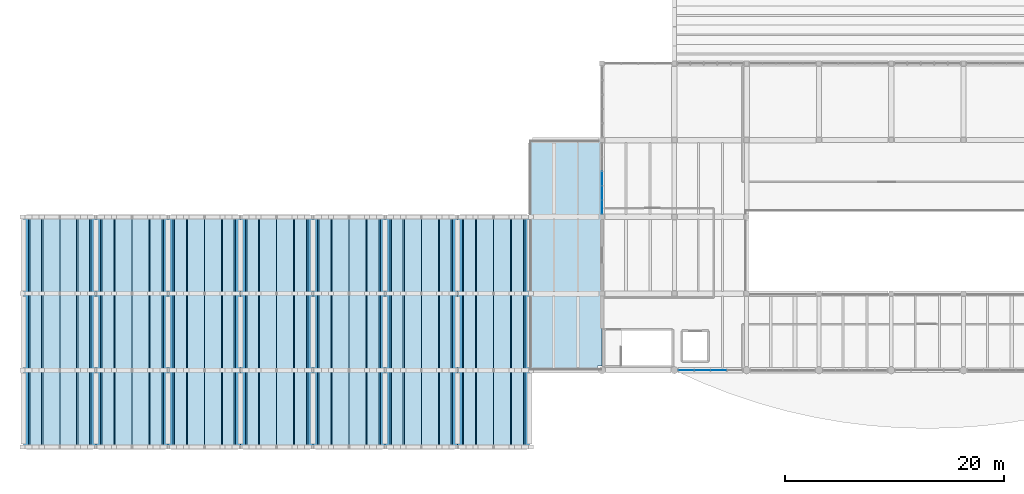
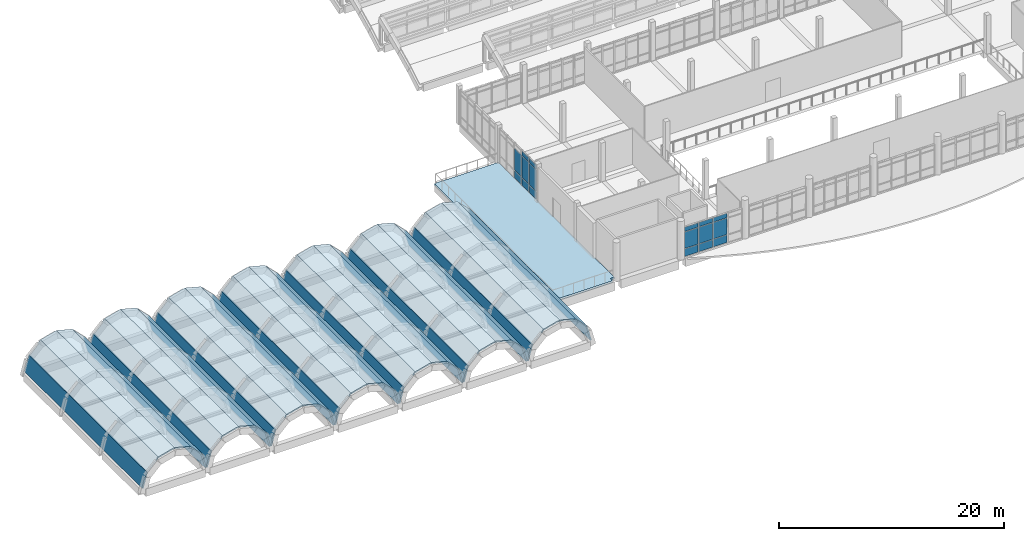
# One storey, part 64 of 92: 43 slabs, 17 plates, 3 elements without a shape of their own.
"""IFC4 building model written with IfcOpenShell, lengths in metres."""

from ifc_helpers import new_model, si_unit, direction, frame, origin, origin_2d, place, context, subcontext, project, spatial, polyline, rectangle, outline, extrude, material, layer, layer_set, type_object, element, aggregate, save


model = new_model("IFC4")

# Units and contexts
model_context = context("Model", 3, precision=1e-05, world=origin(), true_north=direction((0.0, 1.0)))
body_context = subcontext(model_context, "Body", "Model", "MODEL_VIEW")
ifc_project = project(units=[si_unit("LENGTHUNIT", "METRE"), si_unit("AREAUNIT", "SQUARE_METRE"), si_unit("VOLUMEUNIT", "CUBIC_METRE"), si_unit("PLANEANGLEUNIT", "RADIAN"), si_unit("MASSUNIT", "GRAM", prefix="KILO")], contexts=[model_context])

# Site, building, storey
site_placement = place(None, origin())
site = spatial("IfcSite", under=ifc_project, at=site_placement, CompositionType="ELEMENT")
building_placement = place(site_placement, origin())
building = spatial("IfcBuilding", under=site, at=building_placement, Name="Ciguamira Faculty of Natural Sciences", CompositionType="ELEMENT")
storey_placement = place(building_placement, frame((0.0, 0.0, 16.800048828125)))
storey = spatial("IfcBuildingStorey", under=building, at=storey_placement, Name="L04", CompositionType="ELEMENT", Elevation=16.800048828125)

# Curtain wall, plates
ifc_material_1 = material(Name="Anodized aluminium curtain wall", Category="aluminium")
curtain_wall_type = type_object("IfcCurtainWallType", Name="CurtainWall_CW-10", PredefinedType="USERDEFINED", material=ifc_material_1)
curtain_wall_1_placement = place(storey_placement, origin())
curtain_wall_1 = element("IfcCurtainWall", 1, at=curtain_wall_1_placement, inside=storey, type_object=curtain_wall_type, Name="L04 unitised curtain wall 0106", ObjectType="UNITISED CURTAIN WALL", PredefinedType="USERDEFINED")
ifc_material_2 = material(Name="Low-E laminated solar glass", Category="glass")
ifc_layer_1 = layer(ifc_material_2, 0.035888671875, Name="Low-E laminated solar glass")
ifc_layer_set_1 = layer_set([ifc_layer_1], Name="Low-E laminated solar glass")
plate_type = type_object("IfcPlateType", Name="CWPanel_CWP-02", PredefinedType="CURTAIN_PANEL", material=ifc_layer_set_1)
plate_1_placement = place(storey_placement, frame((64.983642578125, 10.0, 0.059814453125), z_axis=(0.0, 0.0, 1.0), x_axis=(1.0, 0.0, 0.0)))
plate_1 = element("IfcPlate", 2, at=plate_1_placement, type_object=plate_type, Name="CW-10 panel 1.1", PredefinedType="CURTAIN_PANEL", context=body_context, shape_type="SweptSolid", body=[
    extrude(rectangle(XDim=1.3974609375, YDim=0.035888671875, at=origin_2d()), origin(), (0.0, 0.0, 1.0), 0.81005859375),
])
plate_2_placement = place(storey_placement, frame((64.983642578125, 10.0, 0.929931640625), z_axis=(0.0, 0.0, 1.0), x_axis=(1.0, 0.0, 0.0)))
plate_2 = element("IfcPlate", 3, at=plate_2_placement, type_object=plate_type, Name="CW-10 panel 1.2", PredefinedType="CURTAIN_PANEL", context=body_context, shape_type="SweptSolid", body=[
    extrude(rectangle(XDim=1.3974609375, YDim=0.035888671875, at=origin_2d()), origin(), (0.0, 0.0, 1.0), 1.77490234375),
])
plate_3_placement = place(storey_placement, frame((64.983642578125, 10.0, 2.764892578125), z_axis=(0.0, 0.0, 1.0), x_axis=(1.0, 0.0, 0.0)))
plate_3 = element("IfcPlate", 4, at=plate_3_placement, type_object=plate_type, Name="CW-10 panel 1.3", PredefinedType="CURTAIN_PANEL", context=body_context, shape_type="SweptSolid", body=[
    extrude(rectangle(XDim=1.3974609375, YDim=0.035888671875, at=origin_2d()), origin(), (0.0, 0.0, 1.0), 0.4599609375),
])
plate_4_placement = place(storey_placement, frame((66.456298828125, 10.0, 0.059814453125), z_axis=(0.0, 0.0, 1.0), x_axis=(1.0, 0.0, 0.0)))
plate_4 = element("IfcPlate", 5, at=plate_4_placement, type_object=plate_type, Name="CW-10 panel 2.1", PredefinedType="CURTAIN_PANEL", context=body_context, shape_type="SweptSolid", body=[
    extrude(rectangle(XDim=1.427490234375, YDim=0.035888671875, at=origin_2d()), origin(), (0.0, 0.0, 1.0), 0.81005859375),
])
plate_5_placement = place(storey_placement, frame((66.456298828125, 10.0, 0.929931640625), z_axis=(0.0, 0.0, 1.0), x_axis=(1.0, 0.0, 0.0)))
plate_5 = element("IfcPlate", 6, at=plate_5_placement, type_object=plate_type, Name="CW-10 panel 2.2", PredefinedType="CURTAIN_PANEL", context=body_context, shape_type="SweptSolid", body=[
    extrude(rectangle(XDim=1.427490234375, YDim=0.035888671875, at=origin_2d()), origin(), (0.0, 0.0, 1.0), 1.77490234375),
])
plate_6_placement = place(storey_placement, frame((66.456298828125, 10.0, 2.764892578125), z_axis=(0.0, 0.0, 1.0), x_axis=(1.0, 0.0, 0.0)))
plate_6 = element("IfcPlate", 7, at=plate_6_placement, type_object=plate_type, Name="CW-10 panel 2.3", PredefinedType="CURTAIN_PANEL", context=body_context, shape_type="SweptSolid", body=[
    extrude(rectangle(XDim=1.427490234375, YDim=0.035888671875, at=origin_2d()), origin(), (0.0, 0.0, 1.0), 0.4599609375),
])
plate_7_placement = place(storey_placement, frame((67.94384765625, 10.0, 0.059814453125), z_axis=(0.0, 0.0, 1.0), x_axis=(1.0, 0.0, 0.0)))
plate_7 = element("IfcPlate", 8, at=plate_7_placement, type_object=plate_type, Name="CW-10 panel 3.1", PredefinedType="CURTAIN_PANEL", context=body_context, shape_type="SweptSolid", body=[
    extrude(rectangle(XDim=1.427490234375, YDim=0.035888671875, at=origin_2d()), origin(), (0.0, 0.0, 1.0), 0.81005859375),
])
plate_8_placement = place(storey_placement, frame((67.94384765625, 10.0, 0.929931640625), z_axis=(0.0, 0.0, 1.0), x_axis=(1.0, 0.0, 0.0)))
plate_8 = element("IfcPlate", 9, at=plate_8_placement, type_object=plate_type, Name="CW-10 panel 3.2", PredefinedType="CURTAIN_PANEL", context=body_context, shape_type="SweptSolid", body=[
    extrude(rectangle(XDim=1.427490234375, YDim=0.035888671875, at=origin_2d()), origin(), (0.0, 0.0, 1.0), 1.77490234375),
])
plate_9_placement = place(storey_placement, frame((67.94384765625, 10.0, 2.764892578125), z_axis=(0.0, 0.0, 1.0), x_axis=(1.0, 0.0, 0.0)))
plate_9 = element("IfcPlate", 10, at=plate_9_placement, type_object=plate_type, Name="CW-10 panel 3.3", PredefinedType="CURTAIN_PANEL", context=body_context, shape_type="SweptSolid", body=[
    extrude(rectangle(XDim=1.427490234375, YDim=0.035888671875, at=origin_2d()), origin(), (0.0, 0.0, 1.0), 0.4599609375),
])
aggregate(curtain_wall_1, [plate_1, plate_2, plate_3, plate_4, plate_5, plate_6, plate_7, plate_8, plate_9])

curtain_wall_2_placement = place(storey_placement, origin())
curtain_wall_2 = element("IfcCurtainWall", 11, at=curtain_wall_2_placement, inside=storey, type_object=curtain_wall_type, Name="L04 unitised curtain wall 0130", ObjectType="UNITISED CURTAIN WALL", PredefinedType="USERDEFINED")
plate_10_placement = place(storey_placement, frame((57.300048828125, 24.89501953125, 0.059814453125), z_axis=(0.0, 0.0, 1.0), x_axis=(0.0, 1.0, 0.0)))
plate_10 = element("IfcPlate", 12, at=plate_10_placement, type_object=plate_type, Name="CW-10 panel 1.1", PredefinedType="CURTAIN_PANEL", context=body_context, shape_type="SweptSolid", body=[
    extrude(rectangle(XDim=1.219970703125, YDim=0.035888671875, at=origin_2d()), origin(), (0.0, 0.0, 1.0), 0.81005859375),
])
plate_11_placement = place(storey_placement, frame((57.300048828125, 24.89501953125, 0.9296875), z_axis=(0.0, 0.0, 1.0), x_axis=(0.0, 1.0, 0.0)))
plate_11 = element("IfcPlate", 13, at=plate_11_placement, type_object=plate_type, Name="CW-10 panel 1.2", PredefinedType="CURTAIN_PANEL", context=body_context, shape_type="SweptSolid", body=[
    extrude(rectangle(XDim=1.219970703125, YDim=0.035888671875, at=origin_2d()), origin(), (0.0, 0.0, 1.0), 2.340087890625),
])
plate_12_placement = place(storey_placement, frame((57.300048828125, 24.89501953125, 3.330078125), z_axis=(0.0, 0.0, 1.0), x_axis=(0.0, 1.0, 0.0)))
plate_12 = element("IfcPlate", 14, at=plate_12_placement, type_object=plate_type, Name="CW-10 panel 1.3", PredefinedType="CURTAIN_PANEL", context=body_context, shape_type="SweptSolid", body=[
    extrude(rectangle(XDim=1.219970703125, YDim=0.035888671875, at=origin_2d()), origin(), (0.0, 0.0, 1.0), 0.4599609375),
])
plate_13_placement = place(storey_placement, frame((57.300048828125, 26.18994140625, 0.059814453125), z_axis=(0.0, 0.0, 1.0), x_axis=(0.0, 1.0, 0.0)))
plate_13 = element("IfcPlate", 15, at=plate_13_placement, type_object=plate_type, Name="CW-10 panel 2.1", PredefinedType="CURTAIN_PANEL", context=body_context, shape_type="SweptSolid", body=[
    extrude(rectangle(XDim=1.25, YDim=0.035888671875, at=origin_2d()), origin(), (0.0, 0.0, 1.0), 0.81005859375),
])
plate_14_placement = place(storey_placement, frame((57.300048828125, 26.18994140625, 0.9296875), z_axis=(0.0, 0.0, 1.0), x_axis=(0.0, 1.0, 0.0)))
plate_14 = element("IfcPlate", 16, at=plate_14_placement, type_object=plate_type, Name="CW-10 panel 2.2", PredefinedType="CURTAIN_PANEL", context=body_context, shape_type="SweptSolid", body=[
    extrude(rectangle(XDim=1.25, YDim=0.035888671875, at=origin_2d()), origin(), (0.0, 0.0, 1.0), 2.340087890625),
])
plate_15_placement = place(storey_placement, frame((57.300048828125, 26.18994140625, 3.330078125), z_axis=(0.0, 0.0, 1.0), x_axis=(0.0, 1.0, 0.0)))
plate_15 = element("IfcPlate", 17, at=plate_15_placement, type_object=plate_type, Name="CW-10 panel 2.3", PredefinedType="CURTAIN_PANEL", context=body_context, shape_type="SweptSolid", body=[
    extrude(rectangle(XDim=1.25, YDim=0.035888671875, at=origin_2d()), origin(), (0.0, 0.0, 1.0), 0.4599609375),
])
plate_16_placement = place(storey_placement, frame((57.300048828125, 27.5, 0.059814453125), z_axis=(0.0, 0.0, 1.0), x_axis=(0.0, 1.0, 0.0)))
plate_16 = element("IfcPlate", 18, at=plate_16_placement, type_object=plate_type, Name="CW-10 panel 3.1", PredefinedType="CURTAIN_PANEL", context=body_context, shape_type="SweptSolid", body=[
    extrude(rectangle(XDim=1.25, YDim=0.035888671875, at=origin_2d()), origin(), (0.0, 0.0, 1.0), 0.81005859375),
])
plate_17_placement = place(storey_placement, frame((57.300048828125, 27.5, 0.9296875), z_axis=(0.0, 0.0, 1.0), x_axis=(0.0, 1.0, 0.0)))
plate_17 = element("IfcPlate", 19, at=plate_17_placement, type_object=plate_type, Name="CW-10 panel 3.2", PredefinedType="CURTAIN_PANEL", context=body_context, shape_type="SweptSolid", body=[
    extrude(rectangle(XDim=1.25, YDim=0.035888671875, at=origin_2d()), origin(), (0.0, 0.0, 1.0), 2.340087890625),
])
aggregate(curtain_wall_2, [plate_10, plate_11, plate_12, plate_13, plate_14, plate_15, plate_16, plate_17])

# Roof, slabs
ifc_material_3 = material(Name="Concrete C40/50", Category="concrete")
roof_type = type_object("IfcRoofType", Name="RoofSys_RF-VLT", PredefinedType="BARREL_ROOF", material=ifc_material_3)
roof_placement = place(storey_placement, origin())
roof = element("IfcRoof", 20, at=roof_placement, inside=storey, type_object=roof_type, Name="Learning Commons Seven Semicircular Concrete Barrel Vaults", PredefinedType="BARREL_ROOF")
ifc_layer_2 = layer(ifc_material_3, 0.139892578125, Name="Concrete C40/50")
ifc_layer_set_2 = layer_set([ifc_layer_2], Name="Concrete C40/50")
slab_type_1 = type_object("IfcSlabType", Name="Slab_SR-03_140", PredefinedType="ROOF", material=ifc_layer_set_2)
slab_1_placement = place(storey_placement, frame((4.5, 3.0, 0.0), z_axis=(-0.965918702396, 0.0, 0.25884563037), x_axis=(0.25884563037, 0.0, 0.965918702396)))
slab_1 = element("IfcSlab", 21, at=slab_1_placement, type_object=slab_type_1, Name="V2 semicircular barrel vault 1 chord strip 1", PredefinedType="ROOF", context=body_context, shape_type="SweptSolid", body=[
    extrude(outline(polyline([(0.0, 0.0), (1.7081171941875453, 0.0), (1.7081171941875453, 21.0), (0.0, 21.0), (0.0, 0.0)])), origin(), (0.0, 0.0, -1.0), 0.139892578125),
])
slab_2_placement = place(storey_placement, frame((4.942138671875, 3.0, 1.64990234375), z_axis=(-0.707178238594, 0.0, 0.707035316557), x_axis=(0.707035316557, 0.0, 0.707178238594)))
slab_2 = element("IfcSlab", 22, at=slab_2_placement, type_object=slab_type_1, Name="V2 semicircular barrel vault 1 chord strip 2", PredefinedType="ROOF", context=body_context, shape_type="SweptSolid", body=[
    extrude(outline(polyline([(0.0, 0.0), (1.7082084071219232, 0.0), (1.7082084071219232, 21.0), (0.0, 21.0), (0.0, 0.0)])), origin(), (0.0, 0.0, -1.0), 0.139892578125),
])
slab_3_placement = place(storey_placement, frame((6.14990234375, 3.0, 2.85791015625), z_axis=(-0.258809899302, 0.0, 0.965928276853), x_axis=(0.965928276853, 0.0, 0.258809899302)))
slab_3 = element("IfcSlab", 23, at=slab_3_placement, type_object=slab_type_1, Name="V2 semicircular barrel vault 1 chord strip 3", PredefinedType="ROOF", context=body_context, shape_type="SweptSolid", body=[
    extrude(outline(polyline([(0.0, 0.0), (1.708353015352085, 0.0), (1.708353015352085, 21.0), (0.0, 21.0), (0.0, 0.0)])), origin(), (0.0, 0.0, -1.0), 0.139892578125),
])
slab_4_placement = place(storey_placement, frame((7.800048828125, 3.0, 3.300048828125), z_axis=(0.25884563037, 0.0, 0.965918702396), x_axis=(0.965918702396, 0.0, -0.25884563037)))
slab_4 = element("IfcSlab", 24, at=slab_4_placement, type_object=slab_type_1, Name="V2 semicircular barrel vault 1 chord strip 4", PredefinedType="ROOF", context=body_context, shape_type="SweptSolid", body=[
    extrude(outline(polyline([(0.0, 0.0), (1.7081171941875453, 0.0), (1.7081171941875453, 21.0), (0.0, 21.0), (0.0, 0.0)])), origin(), (0.0, 0.0, -1.0), 0.139892578125),
])
slab_5_placement = place(storey_placement, frame((9.449951171875, 3.0, 2.85791015625), z_axis=(0.707106781187, 0.0, 0.707106781187), x_axis=(0.707106781187, 0.0, -0.707106781187)))
slab_5 = element("IfcSlab", 25, at=slab_5_placement, type_object=slab_type_1, Name="V2 semicircular barrel vault 1 chord strip 5", PredefinedType="ROOF", context=body_context, shape_type="SweptSolid", body=[
    extrude(outline(polyline([(0.0, 0.0), (1.7083810318901549, 0.0), (1.7083810318901549, 21.0), (0.0, 21.0), (0.0, 0.0)])), origin(), (0.0, 0.0, -1.0), 0.139892578125),
])
slab_6_placement = place(storey_placement, frame((10.657958984375, 3.0, 1.64990234375), z_axis=(0.965918702396, 0.0, 0.25884563037), x_axis=(0.25884563037, 0.0, -0.965918702396)))
slab_6 = element("IfcSlab", 26, at=slab_6_placement, type_object=slab_type_1, Name="V2 semicircular barrel vault 1 chord strip 6", PredefinedType="ROOF", context=body_context, shape_type="SweptSolid", body=[
    extrude(outline(polyline([(0.0, 0.0), (1.7081171941875453, 0.0), (1.7081171941875453, 21.0), (0.0, 21.0), (0.0, 0.0)])), origin(), (0.0, 0.0, -1.0), 0.139892578125),
])
slab_7_placement = place(storey_placement, frame((11.10009765625, 3.0, 0.0), z_axis=(-0.965954430336, 0.0, 0.258712269741), x_axis=(0.258712269741, 0.0, 0.965954430336)))
slab_7 = element("IfcSlab", 27, at=slab_7_placement, type_object=slab_type_1, Name="V2 semicircular barrel vault 2 chord strip 1", PredefinedType="ROOF", context=body_context, shape_type="SweptSolid", body=[
    extrude(outline(polyline([(0.0, 0.0), (1.7080540157326412, 0.0), (1.7080540157326412, 21.0), (0.0, 21.0), (0.0, 0.0)])), origin(), (0.0, 0.0, -1.0), 0.139892578125),
])
slab_8_placement = place(storey_placement, frame((11.5419921875, 3.0, 1.64990234375), z_axis=(-0.707106781187, 0.0, 0.707106781187), x_axis=(0.707106781187, 0.0, 0.707106781187)))
slab_8 = element("IfcSlab", 28, at=slab_8_placement, type_object=slab_type_1, Name="V2 semicircular barrel vault 2 chord strip 2", PredefinedType="ROOF", context=body_context, shape_type="SweptSolid", body=[
    extrude(outline(polyline([(0.0, 0.0), (1.7083810318901549, 0.0), (1.7083810318901549, 21.0), (0.0, 21.0), (0.0, 0.0)])), origin(), (0.0, 0.0, -1.0), 0.139892578125),
])
slab_9_placement = place(storey_placement, frame((12.75, 3.0, 2.85791015625), z_axis=(-0.25884563037, 0.0, 0.965918702396), x_axis=(0.965918702396, 0.0, 0.25884563037)))
slab_9 = element("IfcSlab", 29, at=slab_9_placement, type_object=slab_type_1, Name="V2 semicircular barrel vault 2 chord strip 3", PredefinedType="ROOF", context=body_context, shape_type="SweptSolid", body=[
    extrude(outline(polyline([(0.0, 0.0), (1.7081171941875453, 0.0), (1.7081171941875453, 21.0), (0.0, 21.0), (0.0, 0.0)])), origin(), (0.0, 0.0, -1.0), 0.139892578125),
])
slab_10_placement = place(storey_placement, frame((14.39990234375, 3.0, 3.300048828125), z_axis=(0.258809899302, 0.0, 0.965928276853), x_axis=(0.965928276853, 0.0, -0.258809899302)))
slab_10 = element("IfcSlab", 30, at=slab_10_placement, type_object=slab_type_1, Name="V2 semicircular barrel vault 2 chord strip 4", PredefinedType="ROOF", context=body_context, shape_type="SweptSolid", body=[
    extrude(outline(polyline([(0.0, 0.0), (1.708353015352085, 0.0), (1.708353015352085, 21.0), (0.0, 21.0), (0.0, 0.0)])), origin(), (0.0, 0.0, -1.0), 0.139892578125),
])
slab_11_placement = place(storey_placement, frame((16.050048828125, 3.0, 2.85791015625), z_axis=(0.707178238594, 0.0, 0.707035316557), x_axis=(0.707035316557, 0.0, -0.707178238594)))
slab_11 = element("IfcSlab", 31, at=slab_11_placement, type_object=slab_type_1, Name="V2 semicircular barrel vault 2 chord strip 5", PredefinedType="ROOF", context=body_context, shape_type="SweptSolid", body=[
    extrude(outline(polyline([(0.0, 0.0), (1.7082084071219232, 0.0), (1.7082084071219232, 21.0), (0.0, 21.0), (0.0, 0.0)])), origin(), (0.0, 0.0, -1.0), 0.139892578125),
])
slab_12_placement = place(storey_placement, frame((17.2578125, 3.0, 1.64990234375), z_axis=(0.965918702396, 0.0, 0.25884563037), x_axis=(0.25884563037, 0.0, -0.965918702396)))
slab_12 = element("IfcSlab", 32, at=slab_12_placement, type_object=slab_type_1, Name="V2 semicircular barrel vault 2 chord strip 6", PredefinedType="ROOF", context=body_context, shape_type="SweptSolid", body=[
    extrude(outline(polyline([(0.0, 0.0), (1.7081171941875453, 0.0), (1.7081171941875453, 21.0), (0.0, 21.0), (0.0, 0.0)])), origin(), (0.0, 0.0, -1.0), 0.139892578125),
])
slab_13_placement = place(storey_placement, frame((17.699951171875, 3.0, 0.0), z_axis=(-0.965918702396, 0.0, 0.25884563037), x_axis=(0.25884563037, 0.0, 0.965918702396)))
slab_13 = element("IfcSlab", 33, at=slab_13_placement, type_object=slab_type_1, Name="V2 semicircular barrel vault 3 chord strip 1", PredefinedType="ROOF", context=body_context, shape_type="SweptSolid", body=[
    extrude(outline(polyline([(0.0, 0.0), (1.7081171941875453, 0.0), (1.7081171941875453, 21.0), (0.0, 21.0), (0.0, 0.0)])), origin(), (0.0, 0.0, -1.0), 0.139892578125),
])
slab_14_placement = place(storey_placement, frame((18.14208984375, 3.0, 1.64990234375), z_axis=(-0.707106781187, 0.0, 0.707106781187), x_axis=(0.707106781187, 0.0, 0.707106781187)))
slab_14 = element("IfcSlab", 34, at=slab_14_placement, type_object=slab_type_1, Name="V2 semicircular barrel vault 3 chord strip 2", PredefinedType="ROOF", context=body_context, shape_type="SweptSolid", body=[
    extrude(outline(polyline([(0.0, 0.0), (1.7083810318901549, 0.0), (1.7083810318901549, 21.0), (0.0, 21.0), (0.0, 0.0)])), origin(), (0.0, 0.0, -1.0), 0.139892578125),
])
slab_15_placement = place(storey_placement, frame((19.35009765625, 3.0, 2.85791015625), z_axis=(-0.25884563037, 0.0, 0.965918702396), x_axis=(0.965918702396, 0.0, 0.25884563037)))
slab_15 = element("IfcSlab", 35, at=slab_15_placement, type_object=slab_type_1, Name="V2 semicircular barrel vault 3 chord strip 3", PredefinedType="ROOF", context=body_context, shape_type="SweptSolid", body=[
    extrude(outline(polyline([(0.0, 0.0), (1.7081171941875453, 0.0), (1.7081171941875453, 21.0), (0.0, 21.0), (0.0, 0.0)])), origin(), (0.0, 0.0, -1.0), 0.139892578125),
])
slab_16_placement = place(storey_placement, frame((21.0, 3.0, 3.300048828125), z_axis=(0.25884563037, 0.0, 0.965918702396), x_axis=(0.965918702396, 0.0, -0.25884563037)))
slab_16 = element("IfcSlab", 36, at=slab_16_placement, type_object=slab_type_1, Name="V2 semicircular barrel vault 3 chord strip 4", PredefinedType="ROOF", context=body_context, shape_type="SweptSolid", body=[
    extrude(outline(polyline([(0.0, 0.0), (1.7081171941875453, 0.0), (1.7081171941875453, 21.0), (0.0, 21.0), (0.0, 0.0)])), origin(), (0.0, 0.0, -1.0), 0.139892578125),
])
slab_17_placement = place(storey_placement, frame((22.64990234375, 3.0, 2.85791015625), z_axis=(0.707106781187, 0.0, 0.707106781187), x_axis=(0.707106781187, 0.0, -0.707106781187)))
slab_17 = element("IfcSlab", 37, at=slab_17_placement, type_object=slab_type_1, Name="V2 semicircular barrel vault 3 chord strip 5", PredefinedType="ROOF", context=body_context, shape_type="SweptSolid", body=[
    extrude(outline(polyline([(0.0, 0.0), (1.7083810318901549, 0.0), (1.7083810318901549, 21.0), (0.0, 21.0), (0.0, 0.0)])), origin(), (0.0, 0.0, -1.0), 0.139892578125),
])
slab_18_placement = place(storey_placement, frame((23.85791015625, 3.0, 1.64990234375), z_axis=(0.965918702396, 0.0, 0.25884563037), x_axis=(0.25884563037, 0.0, -0.965918702396)))
slab_18 = element("IfcSlab", 38, at=slab_18_placement, type_object=slab_type_1, Name="V2 semicircular barrel vault 3 chord strip 6", PredefinedType="ROOF", context=body_context, shape_type="SweptSolid", body=[
    extrude(outline(polyline([(0.0, 0.0), (1.7081171941875453, 0.0), (1.7081171941875453, 21.0), (0.0, 21.0), (0.0, 0.0)])), origin(), (0.0, 0.0, -1.0), 0.139892578125),
])
slab_19_placement = place(storey_placement, frame((24.300048828125, 3.0, 0.0), z_axis=(-0.965918702396, 0.0, 0.25884563037), x_axis=(0.25884563037, 0.0, 0.965918702396)))
slab_19 = element("IfcSlab", 39, at=slab_19_placement, type_object=slab_type_1, Name="V2 semicircular barrel vault 4 chord strip 1", PredefinedType="ROOF", context=body_context, shape_type="SweptSolid", body=[
    extrude(outline(polyline([(0.0, 0.0), (1.7081171941875453, 0.0), (1.7081171941875453, 21.0), (0.0, 21.0), (0.0, 0.0)])), origin(), (0.0, 0.0, -1.0), 0.139892578125),
])
slab_20_placement = place(storey_placement, frame((24.7421875, 3.0, 1.64990234375), z_axis=(-0.707178238594, 0.0, 0.707035316557), x_axis=(0.707035316557, 0.0, 0.707178238594)))
slab_20 = element("IfcSlab", 40, at=slab_20_placement, type_object=slab_type_1, Name="V2 semicircular barrel vault 4 chord strip 2", PredefinedType="ROOF", context=body_context, shape_type="SweptSolid", body=[
    extrude(outline(polyline([(0.0, 0.0), (1.7082084071219232, 0.0), (1.7082084071219232, 21.0), (0.0, 21.0), (0.0, 0.0)])), origin(), (0.0, 0.0, -1.0), 0.139892578125),
])
slab_21_placement = place(storey_placement, frame((25.949951171875, 3.0, 2.85791015625), z_axis=(-0.258809899302, 0.0, 0.965928276853), x_axis=(0.965928276853, 0.0, 0.258809899302)))
slab_21 = element("IfcSlab", 41, at=slab_21_placement, type_object=slab_type_1, Name="V2 semicircular barrel vault 4 chord strip 3", PredefinedType="ROOF", context=body_context, shape_type="SweptSolid", body=[
    extrude(outline(polyline([(0.0, 0.0), (1.708353015352085, 0.0), (1.708353015352085, 21.0), (0.0, 21.0), (0.0, 0.0)])), origin(), (0.0, 0.0, -1.0), 0.139892578125),
])
slab_22_placement = place(storey_placement, frame((27.60009765625, 3.0, 3.300048828125), z_axis=(0.25884563037, 0.0, 0.965918702396), x_axis=(0.965918702396, 0.0, -0.25884563037)))
slab_22 = element("IfcSlab", 42, at=slab_22_placement, type_object=slab_type_1, Name="V2 semicircular barrel vault 4 chord strip 4", PredefinedType="ROOF", context=body_context, shape_type="SweptSolid", body=[
    extrude(outline(polyline([(0.0, 0.0), (1.7081171941875453, 0.0), (1.7081171941875453, 21.0), (0.0, 21.0), (0.0, 0.0)])), origin(), (0.0, 0.0, -1.0), 0.139892578125),
])
slab_23_placement = place(storey_placement, frame((29.25, 3.0, 2.85791015625), z_axis=(0.707106781187, 0.0, 0.707106781187), x_axis=(0.707106781187, 0.0, -0.707106781187)))
slab_23 = element("IfcSlab", 43, at=slab_23_placement, type_object=slab_type_1, Name="V2 semicircular barrel vault 4 chord strip 5", PredefinedType="ROOF", context=body_context, shape_type="SweptSolid", body=[
    extrude(outline(polyline([(0.0, 0.0), (1.7083810318901549, 0.0), (1.7083810318901549, 21.0), (0.0, 21.0), (0.0, 0.0)])), origin(), (0.0, 0.0, -1.0), 0.139892578125),
])
slab_24_placement = place(storey_placement, frame((30.4580078125, 3.0, 1.64990234375), z_axis=(0.965954430336, 0.0, 0.258712269741), x_axis=(0.258712269741, 0.0, -0.965954430336)))
slab_24 = element("IfcSlab", 44, at=slab_24_placement, type_object=slab_type_1, Name="V2 semicircular barrel vault 4 chord strip 6", PredefinedType="ROOF", context=body_context, shape_type="SweptSolid", body=[
    extrude(outline(polyline([(0.0, 0.0), (1.7080540157326412, 0.0), (1.7080540157326412, 21.0), (0.0, 21.0), (0.0, 0.0)])), origin(), (0.0, 0.0, -1.0), 0.139892578125),
])
slab_25_placement = place(storey_placement, frame((30.89990234375, 3.0, 0.0), z_axis=(-0.965918702396, 0.0, 0.25884563037), x_axis=(0.25884563037, 0.0, 0.965918702396)))
slab_25 = element("IfcSlab", 45, at=slab_25_placement, type_object=slab_type_1, Name="V2 semicircular barrel vault 5 chord strip 1", PredefinedType="ROOF", context=body_context, shape_type="SweptSolid", body=[
    extrude(outline(polyline([(0.0, 0.0), (1.7081171941875453, 0.0), (1.7081171941875453, 21.0), (0.0, 21.0), (0.0, 0.0)])), origin(), (0.0, 0.0, -1.0), 0.139892578125),
])
slab_26_placement = place(storey_placement, frame((31.342041015625, 3.0, 1.64990234375), z_axis=(-0.707106781187, 0.0, 0.707106781187), x_axis=(0.707106781187, 0.0, 0.707106781187)))
slab_26 = element("IfcSlab", 46, at=slab_26_placement, type_object=slab_type_1, Name="V2 semicircular barrel vault 5 chord strip 2", PredefinedType="ROOF", context=body_context, shape_type="SweptSolid", body=[
    extrude(outline(polyline([(0.0, 0.0), (1.7083810318901549, 0.0), (1.7083810318901549, 21.0), (0.0, 21.0), (0.0, 0.0)])), origin(), (0.0, 0.0, -1.0), 0.139892578125),
])
slab_27_placement = place(storey_placement, frame((32.550048828125, 3.0, 2.85791015625), z_axis=(-0.25884563037, 0.0, 0.965918702396), x_axis=(0.965918702396, 0.0, 0.25884563037)))
slab_27 = element("IfcSlab", 47, at=slab_27_placement, type_object=slab_type_1, Name="V2 semicircular barrel vault 5 chord strip 3", PredefinedType="ROOF", context=body_context, shape_type="SweptSolid", body=[
    extrude(outline(polyline([(0.0, 0.0), (1.7081171941875453, 0.0), (1.7081171941875453, 21.0), (0.0, 21.0), (0.0, 0.0)])), origin(), (0.0, 0.0, -1.0), 0.139892578125),
])
slab_28_placement = place(storey_placement, frame((34.199951171875, 3.0, 3.300048828125), z_axis=(0.258809899302, 0.0, 0.965928276853), x_axis=(0.965928276853, 0.0, -0.258809899302)))
slab_28 = element("IfcSlab", 48, at=slab_28_placement, type_object=slab_type_1, Name="V2 semicircular barrel vault 5 chord strip 4", PredefinedType="ROOF", context=body_context, shape_type="SweptSolid", body=[
    extrude(outline(polyline([(0.0, 0.0), (1.708353015352085, 0.0), (1.708353015352085, 21.0), (0.0, 21.0), (0.0, 0.0)])), origin(), (0.0, 0.0, -1.0), 0.139892578125),
])
slab_29_placement = place(storey_placement, frame((35.85009765625, 3.0, 2.85791015625), z_axis=(0.707178238594, 0.0, 0.707035316557), x_axis=(0.707035316557, 0.0, -0.707178238594)))
slab_29 = element("IfcSlab", 49, at=slab_29_placement, type_object=slab_type_1, Name="V2 semicircular barrel vault 5 chord strip 5", PredefinedType="ROOF", context=body_context, shape_type="SweptSolid", body=[
    extrude(outline(polyline([(0.0, 0.0), (1.7082084071219232, 0.0), (1.7082084071219232, 21.0), (0.0, 21.0), (0.0, 0.0)])), origin(), (0.0, 0.0, -1.0), 0.139892578125),
])
slab_30_placement = place(storey_placement, frame((37.057861328125, 3.0, 1.64990234375), z_axis=(0.965918702396, 0.0, 0.25884563037), x_axis=(0.25884563037, 0.0, -0.965918702396)))
slab_30 = element("IfcSlab", 50, at=slab_30_placement, type_object=slab_type_1, Name="V2 semicircular barrel vault 5 chord strip 6", PredefinedType="ROOF", context=body_context, shape_type="SweptSolid", body=[
    extrude(outline(polyline([(0.0, 0.0), (1.7081171941875453, 0.0), (1.7081171941875453, 21.0), (0.0, 21.0), (0.0, 0.0)])), origin(), (0.0, 0.0, -1.0), 0.139892578125),
])
slab_31_placement = place(storey_placement, frame((37.5, 3.0, 0.0), z_axis=(-0.965918702396, 0.0, 0.25884563037), x_axis=(0.25884563037, 0.0, 0.965918702396)))
slab_31 = element("IfcSlab", 51, at=slab_31_placement, type_object=slab_type_1, Name="V2 semicircular barrel vault 6 chord strip 1", PredefinedType="ROOF", context=body_context, shape_type="SweptSolid", body=[
    extrude(outline(polyline([(0.0, 0.0), (1.7081171941875453, 0.0), (1.7081171941875453, 21.0), (0.0, 21.0), (0.0, 0.0)])), origin(), (0.0, 0.0, -1.0), 0.139892578125),
])
slab_32_placement = place(storey_placement, frame((37.942138671875, 3.0, 1.64990234375), z_axis=(-0.707178238594, 0.0, 0.707035316557), x_axis=(0.707035316557, 0.0, 0.707178238594)))
slab_32 = element("IfcSlab", 52, at=slab_32_placement, type_object=slab_type_1, Name="V2 semicircular barrel vault 6 chord strip 2", PredefinedType="ROOF", context=body_context, shape_type="SweptSolid", body=[
    extrude(outline(polyline([(0.0, 0.0), (1.7082084071219232, 0.0), (1.7082084071219232, 21.0), (0.0, 21.0), (0.0, 0.0)])), origin(), (0.0, 0.0, -1.0), 0.139892578125),
])
slab_33_placement = place(storey_placement, frame((39.14990234375, 3.0, 2.85791015625), z_axis=(-0.258809899302, 0.0, 0.965928276853), x_axis=(0.965928276853, 0.0, 0.258809899302)))
slab_33 = element("IfcSlab", 53, at=slab_33_placement, type_object=slab_type_1, Name="V2 semicircular barrel vault 6 chord strip 3", PredefinedType="ROOF", context=body_context, shape_type="SweptSolid", body=[
    extrude(outline(polyline([(0.0, 0.0), (1.708353015352085, 0.0), (1.708353015352085, 21.0), (0.0, 21.0), (0.0, 0.0)])), origin(), (0.0, 0.0, -1.0), 0.139892578125),
])
slab_34_placement = place(storey_placement, frame((40.800048828125, 3.0, 3.300048828125), z_axis=(0.25884563037, 0.0, 0.965918702396), x_axis=(0.965918702396, 0.0, -0.25884563037)))
slab_34 = element("IfcSlab", 54, at=slab_34_placement, type_object=slab_type_1, Name="V2 semicircular barrel vault 6 chord strip 4", PredefinedType="ROOF", context=body_context, shape_type="SweptSolid", body=[
    extrude(outline(polyline([(0.0, 0.0), (1.7081171941875453, 0.0), (1.7081171941875453, 21.0), (0.0, 21.0), (0.0, 0.0)])), origin(), (0.0, 0.0, -1.0), 0.139892578125),
])
slab_35_placement = place(storey_placement, frame((42.449951171875, 3.0, 2.85791015625), z_axis=(0.707106781187, 0.0, 0.707106781187), x_axis=(0.707106781187, 0.0, -0.707106781187)))
slab_35 = element("IfcSlab", 55, at=slab_35_placement, type_object=slab_type_1, Name="V2 semicircular barrel vault 6 chord strip 5", PredefinedType="ROOF", context=body_context, shape_type="SweptSolid", body=[
    extrude(outline(polyline([(0.0, 0.0), (1.7083810318901549, 0.0), (1.7083810318901549, 21.0), (0.0, 21.0), (0.0, 0.0)])), origin(), (0.0, 0.0, -1.0), 0.139892578125),
])
slab_36_placement = place(storey_placement, frame((43.657958984375, 3.0, 1.64990234375), z_axis=(0.965918702396, 0.0, 0.25884563037), x_axis=(0.25884563037, 0.0, -0.965918702396)))
slab_36 = element("IfcSlab", 56, at=slab_36_placement, type_object=slab_type_1, Name="V2 semicircular barrel vault 6 chord strip 6", PredefinedType="ROOF", context=body_context, shape_type="SweptSolid", body=[
    extrude(outline(polyline([(0.0, 0.0), (1.7081171941875453, 0.0), (1.7081171941875453, 21.0), (0.0, 21.0), (0.0, 0.0)])), origin(), (0.0, 0.0, -1.0), 0.139892578125),
])
slab_37_placement = place(storey_placement, frame((44.10009765625, 3.0, 0.0), z_axis=(-0.965954430336, 0.0, 0.258712269741), x_axis=(0.258712269741, 0.0, 0.965954430336)))
slab_37 = element("IfcSlab", 57, at=slab_37_placement, type_object=slab_type_1, Name="V2 semicircular barrel vault 7 chord strip 1", PredefinedType="ROOF", context=body_context, shape_type="SweptSolid", body=[
    extrude(outline(polyline([(0.0, 0.0), (1.7080540157326412, 0.0), (1.7080540157326412, 21.0), (0.0, 21.0), (0.0, 0.0)])), origin(), (0.0, 0.0, -1.0), 0.139892578125),
])
slab_38_placement = place(storey_placement, frame((44.5419921875, 3.0, 1.64990234375), z_axis=(-0.707106781187, 0.0, 0.707106781187), x_axis=(0.707106781187, 0.0, 0.707106781187)))
slab_38 = element("IfcSlab", 58, at=slab_38_placement, type_object=slab_type_1, Name="V2 semicircular barrel vault 7 chord strip 2", PredefinedType="ROOF", context=body_context, shape_type="SweptSolid", body=[
    extrude(outline(polyline([(0.0, 0.0), (1.7083810318901549, 0.0), (1.7083810318901549, 21.0), (0.0, 21.0), (0.0, 0.0)])), origin(), (0.0, 0.0, -1.0), 0.139892578125),
])
slab_39_placement = place(storey_placement, frame((45.75, 3.0, 2.85791015625), z_axis=(-0.25884563037, 0.0, 0.965918702396), x_axis=(0.965918702396, 0.0, 0.25884563037)))
slab_39 = element("IfcSlab", 59, at=slab_39_placement, type_object=slab_type_1, Name="V2 semicircular barrel vault 7 chord strip 3", PredefinedType="ROOF", context=body_context, shape_type="SweptSolid", body=[
    extrude(outline(polyline([(0.0, 0.0), (1.7081171941875453, 0.0), (1.7081171941875453, 21.0), (0.0, 21.0), (0.0, 0.0)])), origin(), (0.0, 0.0, -1.0), 0.139892578125),
])
slab_40_placement = place(storey_placement, frame((47.39990234375, 3.0, 3.300048828125), z_axis=(0.258809899302, 0.0, 0.965928276853), x_axis=(0.965928276853, 0.0, -0.258809899302)))
slab_40 = element("IfcSlab", 60, at=slab_40_placement, type_object=slab_type_1, Name="V2 semicircular barrel vault 7 chord strip 4", PredefinedType="ROOF", context=body_context, shape_type="SweptSolid", body=[
    extrude(outline(polyline([(0.0, 0.0), (1.708353015352085, 0.0), (1.708353015352085, 21.0), (0.0, 21.0), (0.0, 0.0)])), origin(), (0.0, 0.0, -1.0), 0.139892578125),
])
slab_41_placement = place(storey_placement, frame((49.050048828125, 3.0, 2.85791015625), z_axis=(0.707178238594, 0.0, 0.707035316557), x_axis=(0.707035316557, 0.0, -0.707178238594)))
slab_41 = element("IfcSlab", 61, at=slab_41_placement, type_object=slab_type_1, Name="V2 semicircular barrel vault 7 chord strip 5", PredefinedType="ROOF", context=body_context, shape_type="SweptSolid", body=[
    extrude(outline(polyline([(0.0, 0.0), (1.7082084071219232, 0.0), (1.7082084071219232, 21.0), (0.0, 21.0), (0.0, 0.0)])), origin(), (0.0, 0.0, -1.0), 0.139892578125),
])
slab_42_placement = place(storey_placement, frame((50.2578125, 3.0, 1.64990234375), z_axis=(0.965918702396, 0.0, 0.25884563037), x_axis=(0.25884563037, 0.0, -0.965918702396)))
slab_42 = element("IfcSlab", 62, at=slab_42_placement, type_object=slab_type_1, Name="V2 semicircular barrel vault 7 chord strip 6", PredefinedType="ROOF", context=body_context, shape_type="SweptSolid", body=[
    extrude(outline(polyline([(0.0, 0.0), (1.7081171941875453, 0.0), (1.7081171941875453, 21.0), (0.0, 21.0), (0.0, 0.0)])), origin(), (0.0, 0.0, -1.0), 0.139892578125),
])
aggregate(roof, [slab_1, slab_2, slab_3, slab_4, slab_5, slab_6, slab_7, slab_8, slab_9, slab_10, slab_11, slab_12, slab_13, slab_14, slab_15, slab_16, slab_17, slab_18, slab_19, slab_20, slab_21, slab_22, slab_23, slab_24, slab_25, slab_26, slab_27, slab_28, slab_29, slab_30, slab_31, slab_32, slab_33, slab_34, slab_35, slab_36, slab_37, slab_38, slab_39, slab_40, slab_41, slab_42])

# Slab
ifc_layer_3 = layer(ifc_material_3, 0.199951171875, Name="Concrete C40/50")
ifc_layer_set_3 = layer_set([ifc_layer_3], Name="Concrete C40/50")
slab_type_2 = type_object("IfcSlabType", Name="Slab_ST-01_200", PredefinedType="FLOOR", material=ifc_layer_set_3)
slab_43_placement = place(storey_placement, frame((0.0, 0.0, -0.199951171875)))
element("IfcSlab", 63, at=slab_43_placement, inside=storey, type_object=slab_type_2, Name="L04 Atrium West Botanical Roof Terrace", PredefinedType="FLOOR", context=body_context, shape_type="SweptSolid", body=[
    extrude(outline(polyline([(50.699951171875, 10.0), (56.89990234375, 10.0), (56.89990234375, 10.39990234375), (57.300048828125, 10.39990234375), (57.300048828125, 31.0), (50.699951171875, 31.0), (50.699951171875, 10.0)])), origin(), (0.0, 0.0, 1.0), 0.199951171875),
])

save(model, "model.ifc")
